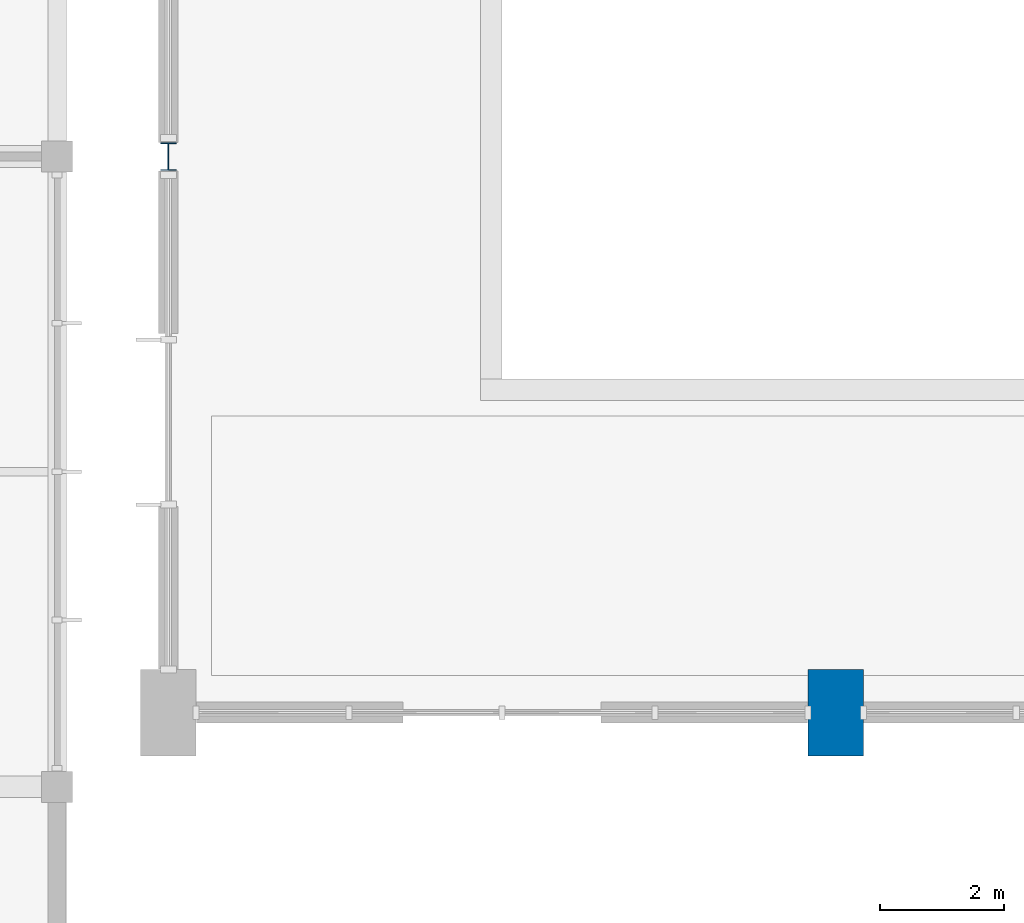
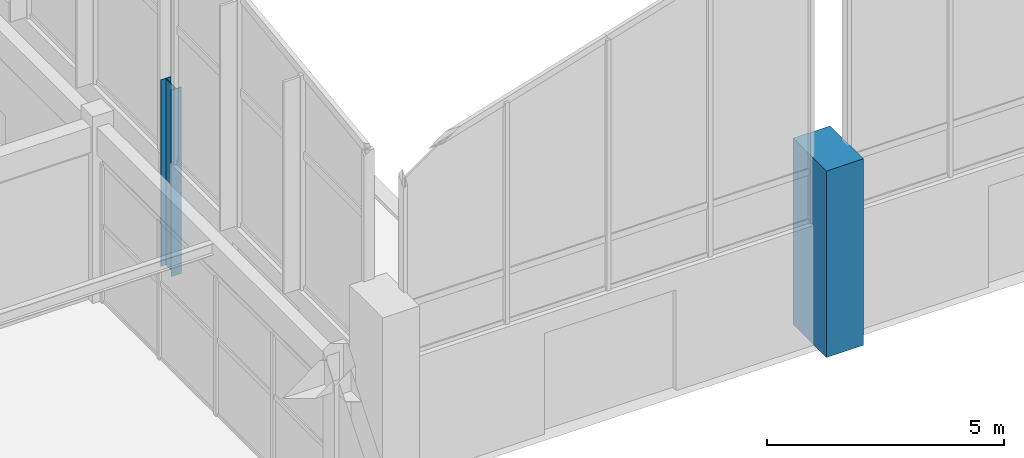
# One storey, part 2 of 82: 2 columns.
"""IFC4 building model written with IfcOpenShell, lengths in metres."""

from ifc_helpers import new_model, si_unit, direction, frame, origin, origin_2d, place, context, subcontext, project, spatial, rectangle, i_section, extrude, material, material_profile, profile_set, type_object, element, save


model = new_model("IFC4")

# Units and contexts
model_context = context("Model", 3, precision=1e-05, world=origin(), true_north=direction((0.0, 1.0)))
body_context = subcontext(model_context, "Body", "Model", "MODEL_VIEW")
ifc_project = project(units=[si_unit("LENGTHUNIT", "METRE"), si_unit("AREAUNIT", "SQUARE_METRE"), si_unit("VOLUMEUNIT", "CUBIC_METRE"), si_unit("PLANEANGLEUNIT", "RADIAN"), si_unit("MASSUNIT", "GRAM", prefix="KILO")], contexts=[model_context])

# Site, building, storey
site_placement = place(None, origin())
site = spatial("IfcSite", under=ifc_project, at=site_placement, CompositionType="ELEMENT")
building_placement = place(site_placement, origin())
building = spatial("IfcBuilding", under=site, at=building_placement, Name="Suirenkawa Promenade Aquatics Centre", CompositionType="ELEMENT")
storey_placement = place(building_placement, origin())
storey = spatial("IfcBuildingStorey", under=building, at=storey_placement, Name="L00", CompositionType="ELEMENT", Elevation=0.0)

# Columns
ifc_material_1 = material(Name="Concrete M40", Category="concrete")
ifc_material_profile_1 = material_profile(ifc_material_1, rectangle(XDim=0.89990234375, YDim=1.39990234375, at=origin_2d()), Name="RC PIER 900x1400", Category="concrete")
ifc_profile_set_1 = profile_set([ifc_material_profile_1], Name="Concrete M40")
column_type_1 = type_object("IfcColumnType", Name="CT-PIER-900x1400", PredefinedType="COLUMN", material=ifc_profile_set_1)
column_1_placement = place(storey_placement, frame((57.60009765625, 50.39990234375, 0.0), z_axis=(0.0, 0.0, 1.0), x_axis=(1.0, 0.0, 0.0)))
element("IfcColumn", 1, at=column_1_placement, inside=storey, type_object=column_type_1, Name="Column CL-09 COL-0107", PredefinedType="COLUMN", context=body_context, shape_type="SweptSolid", body=[
    extrude(rectangle(XDim=0.89990234375, YDim=1.39990234375, at=origin_2d()), origin(), (0.0, 0.0, 1.0), 4.800048828125),
])
ifc_material_2 = material(Name="Steel IS 2062 E350 (Grade 350)", Category="steel")
ifc_material_profile_2 = material_profile(ifc_material_2, i_section(OverallWidth=0.25, OverallDepth=0.449951171875, WebThickness=0.010986328125, FlangeThickness=0.013916015625, at=origin_2d()), Name="ISHB 450", Category="steel")
ifc_profile_set_2 = profile_set([ifc_material_profile_2], Name="Steel IS 2062 E350 (Grade 350)")
column_type_2 = type_object("IfcColumnType", Name="CT-STL-ISHB450", PredefinedType="COLUMN", material=ifc_profile_set_2)
column_2_placement = place(storey_placement, frame((46.800048828125, 59.39990234375, 0.0), z_axis=(0.0, 0.0, 1.0), x_axis=(1.0, 0.0, 0.0)))
element("IfcColumn", 2, at=column_2_placement, inside=storey, type_object=column_type_2, Name="Column CL-13 COL-0786", PredefinedType="COLUMN", context=body_context, shape_type="SweptSolid", body=[
    extrude(i_section(OverallWidth=0.25, OverallDepth=0.449951171875, WebThickness=0.010986328125, FlangeThickness=0.013916015625, at=origin_2d()), origin(), (0.0, 0.0, 1.0), 4.800048828125),
])

save(model, "model.ifc")
